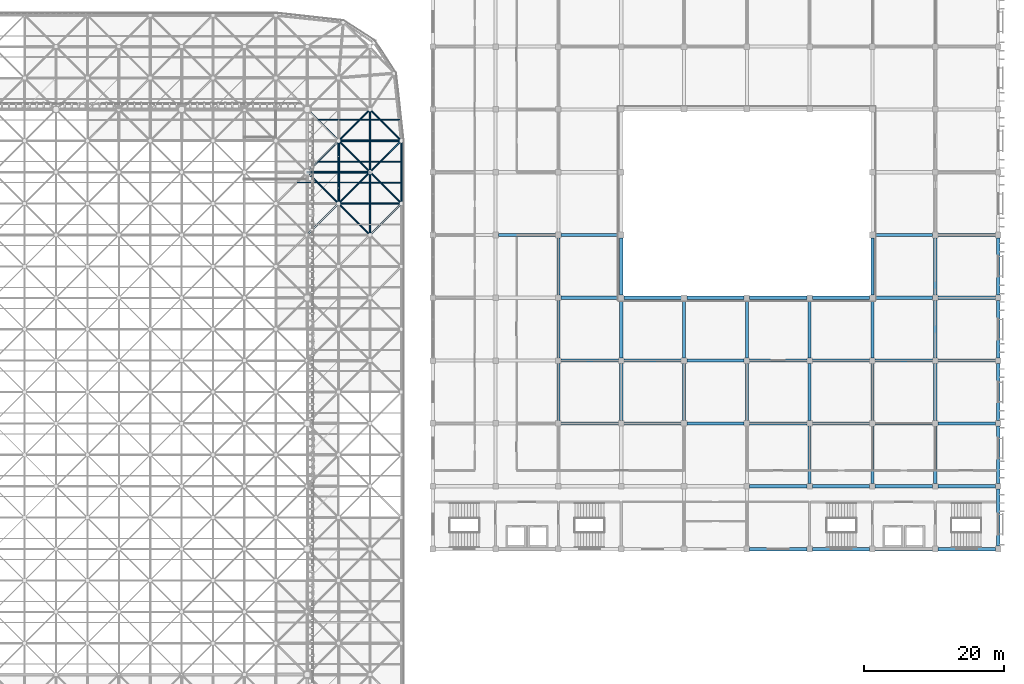
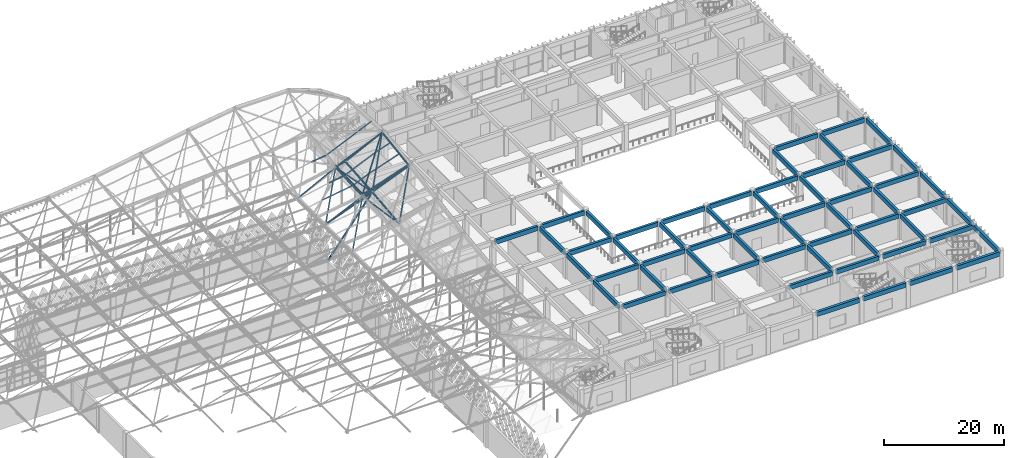
# One storey, part 205 of 437: 59 beams, 32 members.
"""IFC4 building model written with IfcOpenShell, lengths in metres."""

from ifc_helpers import new_model, si_unit, direction, frame, origin, origin_2d, place, context, subcontext, project, spatial, polyline, rectangle, hollow_circle, outline, extrude, material, material_profile, profile_set, type_object, element, save


model = new_model("IFC4")

# Units and contexts
model_context = context("Model", 3, precision=1e-05, world=origin(), true_north=direction((0.0, 1.0)))
body_context = subcontext(model_context, "Body", "Model", "MODEL_VIEW")
ifc_project = project(units=[si_unit("LENGTHUNIT", "METRE"), si_unit("AREAUNIT", "SQUARE_METRE"), si_unit("VOLUMEUNIT", "CUBIC_METRE"), si_unit("PLANEANGLEUNIT", "RADIAN"), si_unit("MASSUNIT", "GRAM", prefix="KILO")], contexts=[model_context])

# Site, building, storey
site_placement = place(None, origin())
site = spatial("IfcSite", under=ifc_project, at=site_placement, CompositionType="ELEMENT")
building_placement = place(site_placement, origin())
building = spatial("IfcBuilding", under=site, at=building_placement, Name="Opaline Strait Convention Centre", CompositionType="ELEMENT")
storey_placement = place(building_placement, frame((0.0, 0.0, 11.5)))
storey = spatial("IfcBuildingStorey", under=building, at=storey_placement, Name="L02", CompositionType="ELEMENT", Elevation=11.5)

# Beams
ifc_material_1 = material(Name="Concrete C35", Category="concrete")
ifc_material_profile_1 = material_profile(ifc_material_1, rectangle(XDim=0.449951171875, YDim=0.89990234375, at=origin_2d()), Name="RC 450x900")
ifc_profile_set_1 = profile_set([ifc_material_profile_1], Name="Concrete C35")
beam_type_1 = type_object("IfcBeamType", Name="RC beam 450x900 C35", PredefinedType="BEAM", material=ifc_profile_set_1)
for number, where, z_axis, x_axis, name in (
    (1, (324.39990234375, 99.0, 4.77001953125), (1.0, 0.0, 0.0), (0.0, 1.0, 0.0), "XB1 L02 37/M-38/M"),
    (2, (333.39990234375, 99.0, 4.77001953125), (1.0, 0.0, 0.0), (0.0, 1.0, 0.0), "XB1 L02 38/M-39/M"),
    (3, (342.39990234375, 99.0, 4.77001953125), (1.0, 0.0, 0.0), (0.0, 1.0, 0.0), "XB1 L02 39/M-40/M"),
    (4, (351.39990234375, 99.0, 4.77001953125), (1.0, 0.0, 0.0), (0.0, 1.0, 0.0), "XB1 L02 40/M-41/M"),
    (5, (297.39990234375, 108.0, 4.77001953125), (1.0, 0.0, 0.0), (0.0, 1.0, 0.0), "XB1 L02 34/N-35/N"),
    (6, (306.39990234375, 108.0, 4.77001953125), (1.0, 0.0, 0.0), (0.0, 1.0, 0.0), "XB1 L02 35/N-36/N"),
    (7, (315.39990234375, 108.0, 4.77001953125), (1.0, 0.0, 0.0), (0.0, 1.0, 0.0), "XB1 L02 36/N-37/N"),
    (8, (324.39990234375, 108.0, 4.77001953125), (1.0, 0.0, 0.0), (0.0, 1.0, 0.0), "XB1 L02 37/N-38/N"),
    (9, (333.39990234375, 108.0, 4.77001953125), (1.0, 0.0, 0.0), (0.0, 1.0, 0.0), "XB1 L02 38/N-39/N"),
    (10, (342.39990234375, 108.0, 4.77001953125), (1.0, 0.0, 0.0), (0.0, 1.0, 0.0), "XB1 L02 39/N-40/N"),
    (11, (351.39990234375, 108.0, 4.77001953125), (1.0, 0.0, 0.0), (0.0, 1.0, 0.0), "XB1 L02 40/N-41/N"),
    (12, (297.39990234375, 117.0, 4.77001953125), (1.0, 0.0, 0.0), (0.0, 1.0, 0.0), "XB1 L02 34/P-35/P"),
    (13, (306.39990234375, 117.0, 4.77001953125), (1.0, 0.0, 0.0), (0.0, 1.0, 0.0), "XB1 L02 35/P-36/P"),
    (14, (315.39990234375, 117.0, 4.77001953125), (1.0, 0.0, 0.0), (0.0, 1.0, 0.0), "XB1 L02 36/P-37/P"),
    (15, (324.39990234375, 117.0, 4.77001953125), (1.0, 0.0, 0.0), (0.0, 1.0, 0.0), "XB1 L02 37/P-38/P"),
    (16, (333.39990234375, 117.0, 4.77001953125), (1.0, 0.0, 0.0), (0.0, 1.0, 0.0), "XB1 L02 38/P-39/P"),
    (17, (342.39990234375, 117.0, 4.77001953125), (1.0, 0.0, 0.0), (0.0, 1.0, 0.0), "XB1 L02 39/P-40/P"),
    (18, (351.39990234375, 117.0, 4.77001953125), (1.0, 0.0, 0.0), (0.0, 1.0, 0.0), "XB1 L02 40/P-41/P"),
    (19, (297.39990234375, 126.0, 4.77001953125), (1.0, 0.0, 0.0), (0.0, 1.0, 0.0), "XB1 L02 34/Q-35/Q"),
    (20, (306.39990234375, 126.0, 4.77001953125), (1.0, 0.0, 0.0), (0.0, 1.0, 0.0), "XB1 L02 35/Q-36/Q"),
    (21, (315.39990234375, 126.0, 4.77001953125), (1.0, 0.0, 0.0), (0.0, 1.0, 0.0), "XB1 L02 36/Q-37/Q"),
    (22, (324.39990234375, 126.0, 4.77001953125), (1.0, 0.0, 0.0), (0.0, 1.0, 0.0), "XB1 L02 37/Q-38/Q"),
    (23, (333.39990234375, 126.0, 4.77001953125), (1.0, 0.0, 0.0), (0.0, 1.0, 0.0), "XB1 L02 38/Q-39/Q"),
    (24, (342.39990234375, 126.0, 4.77001953125), (1.0, 0.0, 0.0), (0.0, 1.0, 0.0), "XB1 L02 39/Q-40/Q"),
    (25, (351.39990234375, 126.0, 4.77001953125), (1.0, 0.0, 0.0), (0.0, 1.0, 0.0), "XB1 L02 40/Q-41/Q"),
    (26, (288.39990234375, 135.0, 4.77001953125), (1.0, 0.0, 0.0), (0.0, 1.0, 0.0), "XB1 L02 33/R-34/R"),
    (27, (297.39990234375, 135.0, 4.77001953125), (1.0, 0.0, 0.0), (0.0, 1.0, 0.0), "XB1 L02 34/R-35/R"),
    (28, (342.39990234375, 135.0, 4.77001953125), (1.0, 0.0, 0.0), (0.0, 1.0, 0.0), "XB1 L02 39/R-40/R"),
    (29, (351.39990234375, 135.0, 4.77001953125), (1.0, 0.0, 0.0), (0.0, 1.0, 0.0), "XB1 L02 40/R-41/R"),
    (30, (297.0, 108.39990234375, 4.77001953125), (0.0, 1.0, 0.0), (-1.0, 0.0, 0.0), "XB1 L02 34/N-34/P"),
    (31, (297.0, 117.39990234375, 4.77001953125), (0.0, 1.0, 0.0), (-1.0, 0.0, 0.0), "XB1 L02 34/P-34/Q"),
    (32, (297.0, 126.39990234375, 4.77001953125), (0.0, 1.0, 0.0), (-1.0, 0.0, 0.0), "XB1 L02 34/Q-34/R"),
    (33, (306.0, 108.39990234375, 4.77001953125), (0.0, 1.0, 0.0), (-1.0, 0.0, 0.0), "XB1 L02 35/N-35/P"),
    (34, (306.0, 117.39990234375, 4.77001953125), (0.0, 1.0, 0.0), (-1.0, 0.0, 0.0), "XB1 L02 35/P-35/Q"),
    (35, (306.0, 126.39990234375, 4.77001953125), (0.0, 1.0, 0.0), (-1.0, 0.0, 0.0), "XB1 L02 35/Q-35/R"),
    (36, (315.0, 108.39990234375, 4.77001953125), (0.0, 1.0, 0.0), (-1.0, 0.0, 0.0), "XB1 L02 36/N-36/P"),
    (37, (315.0, 117.39990234375, 4.77001953125), (0.0, 1.0, 0.0), (-1.0, 0.0, 0.0), "XB1 L02 36/P-36/Q"),
    (38, (324.0, 108.39990234375, 4.77001953125), (0.0, 1.0, 0.0), (-1.0, 0.0, 0.0), "XB1 L02 37/N-37/P"),
    (39, (324.0, 117.39990234375, 4.77001953125), (0.0, 1.0, 0.0), (-1.0, 0.0, 0.0), "XB1 L02 37/P-37/Q"),
    (40, (333.0, 99.39990234375, 4.77001953125), (0.0, 1.0, 0.0), (-1.0, 0.0, 0.0), "XB1 L02 38/M-38/N"),
    (41, (333.0, 108.39990234375, 4.77001953125), (0.0, 1.0, 0.0), (-1.0, 0.0, 0.0), "XB1 L02 38/N-38/P"),
    (42, (333.0, 117.39990234375, 4.77001953125), (0.0, 1.0, 0.0), (-1.0, 0.0, 0.0), "XB1 L02 38/P-38/Q"),
    (43, (342.0, 99.39990234375, 4.77001953125), (0.0, 1.0, 0.0), (-1.0, 0.0, 0.0), "XB1 L02 39/M-39/N"),
    (44, (342.0, 108.39990234375, 4.77001953125), (0.0, 1.0, 0.0), (-1.0, 0.0, 0.0), "XB1 L02 39/N-39/P"),
    (45, (342.0, 117.39990234375, 4.77001953125), (0.0, 1.0, 0.0), (-1.0, 0.0, 0.0), "XB1 L02 39/P-39/Q"),
    (46, (342.0, 126.39990234375, 4.77001953125), (0.0, 1.0, 0.0), (-1.0, 0.0, 0.0), "XB1 L02 39/Q-39/R"),
    (47, (351.0, 99.39990234375, 4.77001953125), (0.0, 1.0, 0.0), (-1.0, 0.0, 0.0), "XB1 L02 40/M-40/N"),
    (48, (351.0, 108.39990234375, 4.77001953125), (0.0, 1.0, 0.0), (-1.0, 0.0, 0.0), "XB1 L02 40/N-40/P"),
    (49, (351.0, 117.39990234375, 4.77001953125), (0.0, 1.0, 0.0), (-1.0, 0.0, 0.0), "XB1 L02 40/P-40/Q"),
    (50, (351.0, 126.39990234375, 4.77001953125), (0.0, 1.0, 0.0), (-1.0, 0.0, 0.0), "XB1 L02 40/Q-40/R"),
):
    element("IfcBeam", number, at=place(storey_placement, frame(where, z_axis=z_axis, x_axis=x_axis)), inside=storey, type_object=beam_type_1, Name=name, PredefinedType="BEAM", context=body_context, shape_type="SweptSolid", body=[
        extrude(rectangle(XDim=0.449951171875, YDim=0.89990234375, at=origin_2d()), origin(), (0.0, 0.0, 1.0), 8.2001953125),
    ])
ifc_material_profile_2 = material_profile(ifc_material_1, rectangle(XDim=0.5, YDim=0.89990234375, at=origin_2d()), Name="RC 500x900")
ifc_profile_set_2 = profile_set([ifc_material_profile_2], Name="Concrete C35")
beam_type_2 = type_object("IfcBeamType", Name="RC edge beam 500x900 C35", PredefinedType="BEAM", material=ifc_profile_set_2)
for number, where, z_axis, x_axis, name in (
    (51, (324.39990234375, 90.0, 4.77001953125), (1.0, 0.0, 0.0), (0.0, 1.0, 0.0), "MRB2 L02 37/L-38/L"),
    (52, (333.39990234375, 90.0, 4.77001953125), (1.0, 0.0, 0.0), (0.0, 1.0, 0.0), "MRB2 L02 38/L-39/L"),
    (53, (342.39990234375, 90.0, 4.77001953125), (1.0, 0.0, 0.0), (0.0, 1.0, 0.0), "MRB2 L02 39/L-40/L"),
    (54, (351.39990234375, 90.0, 4.77001953125), (1.0, 0.0, 0.0), (0.0, 1.0, 0.0), "MRB2 L02 40/L-41/L"),
    (55, (360.0, 90.39990234375, 4.77001953125), (0.0, 1.0, 0.0), (-1.0, 0.0, 0.0), "MRB2 L02 41/L-41/M"),
    (56, (360.0, 99.39990234375, 4.77001953125), (0.0, 1.0, 0.0), (-1.0, 0.0, 0.0), "MRB2 L02 41/M-41/N"),
    (57, (360.0, 108.39990234375, 4.77001953125), (0.0, 1.0, 0.0), (-1.0, 0.0, 0.0), "MRB2 L02 41/N-41/P"),
    (58, (360.0, 117.39990234375, 4.77001953125), (0.0, 1.0, 0.0), (-1.0, 0.0, 0.0), "MRB2 L02 41/P-41/Q"),
    (59, (360.0, 126.39990234375, 4.77001953125), (0.0, 1.0, 0.0), (-1.0, 0.0, 0.0), "MRB2 L02 41/Q-41/R"),
):
    element("IfcBeam", number, at=place(storey_placement, frame(where, z_axis=z_axis, x_axis=x_axis)), inside=storey, type_object=beam_type_2, Name=name, PredefinedType="BEAM", context=body_context, shape_type="SweptSolid", body=[
        extrude(rectangle(XDim=0.5, YDim=0.89990234375, at=origin_2d()), origin(), (0.0, 0.0, 1.0), 8.2001953125),
    ])

# Members
ifc_material_2 = material(Name="Steel Q355B", Category="steel")
ifc_material_profile_3 = material_profile(ifc_material_2, hollow_circle(Radius=0.175537109375, WallThickness=0.01611328125, at=origin_2d()), Name="CHS 351x16")
ifc_profile_set_3 = profile_set([ifc_material_profile_3], Name="Steel Q355B")
member_type_1 = type_object("IfcMemberType", Name="Raking prop CHS 351x16", PredefinedType="BRACE", material=ifc_profile_set_3)
member_1_placement = place(storey_placement, frame((261.51611328125, 144.0, 5.0205078125), z_axis=(0.614884902871, 0.0, 0.788616862755), x_axis=(0.0, 1.0, 0.0)))
element("IfcMember", 60, at=member_1_placement, inside=storey, type_object=member_type_1, Name="Raking prop 261/144 E", PredefinedType="BRACE", context=body_context, shape_type="SweptSolid", body=[
    extrude(hollow_circle(Radius=0.175537109375, WallThickness=0.01611328125, at=origin_2d()), origin(), (0.0, 0.0, 1.0), 13.84765625),
])
ifc_material_profile_4 = material_profile(ifc_material_2, outline(polyline([(-0.03759765625, -0.125), (0.03759765625, -0.125), (0.03759765625, -0.10498046875), (0.034912109375, -0.10498046875), (0.034912109375, -0.12255859375), (-0.034912109375, -0.12255859375), (-0.034912109375, 0.12255859375), (0.034912109375, 0.12255859375), (0.034912109375, 0.10498046875), (0.03759765625, 0.10498046875), (0.03759765625, 0.125), (-0.03759765625, 0.125), (-0.03759765625, -0.125)])), Name="C 250x75x20x2.5")
ifc_profile_set_4 = profile_set([ifc_material_profile_4], Name="Steel Q355B")
member_type_2 = type_object("IfcMemberType", Name="Roof purlin C 250x75x20x2.5", PredefinedType="PURLIN", material=ifc_profile_set_4)
member_2_placement = place(storey_placement, frame((259.550048828125, 142.5, 18.87890625), z_axis=(0.988092099011, 0.0, 0.153863588517), x_axis=(-0.007452095164, 0.998826427329, 0.047856392952)))
element("IfcMember", 61, at=member_2_placement, inside=storey, type_object=member_type_2, Name="EXB-RF-P-19-11-0a", PredefinedType="PURLIN", context=body_context, shape_type="SweptSolid", body=[
    extrude(outline(polyline([(-0.03759765625, -0.125), (0.03759765625, -0.125), (0.03759765625, -0.10498046875), (0.034912109375, -0.10498046875), (0.034912109375, -0.12255859375), (-0.034912109375, -0.12255859375), (-0.034912109375, 0.12255859375), (0.034912109375, 0.12255859375), (0.034912109375, 0.10498046875), (0.03759765625, 0.10498046875), (0.03759765625, 0.125), (-0.03759765625, 0.125), (-0.03759765625, -0.125)])), origin(), (0.0, 0.0, 1.0), 6.021728515625),
])
member_3_placement = place(storey_placement, frame((262.550048828125, 145.5, 19.491455078125), z_axis=(0.988086366005, 0.0, 0.153900400631), x_axis=(-0.00745387809, 0.998826427329, 0.047856115284)))
element("IfcMember", 62, at=member_3_placement, inside=storey, type_object=member_type_2, Name="EXB-RF-P-19-11-1a", PredefinedType="PURLIN", context=body_context, shape_type="SweptSolid", body=[
    extrude(outline(polyline([(-0.03759765625, -0.125), (0.03759765625, -0.125), (0.03759765625, -0.10498046875), (0.034912109375, -0.10498046875), (0.034912109375, -0.12255859375), (-0.034912109375, -0.12255859375), (-0.034912109375, 0.12255859375), (0.034912109375, 0.12255859375), (0.034912109375, 0.10498046875), (0.03759765625, 0.10498046875), (0.03759765625, 0.125), (-0.03759765625, 0.125), (-0.03759765625, -0.125)])), origin(), (0.0, 0.0, 1.0), 2.985595703125),
])
member_4_placement = place(storey_placement, frame((265.5, 139.5, 19.666015625), z_axis=(0.66838117447, 0.66838117447, 0.326394257346), x_axis=(-0.672492106724, 0.730507071966, -0.118801448655)))
element("IfcMember", 63, at=member_4_placement, inside=storey, type_object=member_type_2, Name="EXB-RF-F-20-11", PredefinedType="PURLIN", context=body_context, shape_type="SweptSolid", body=[
    extrude(outline(polyline([(-0.03759765625, -0.125), (0.03759765625, -0.125), (0.03759765625, -0.10498046875), (0.034912109375, -0.10498046875), (0.034912109375, -0.12255859375), (-0.034912109375, -0.12255859375), (-0.034912109375, 0.12255859375), (0.034912109375, 0.12255859375), (0.034912109375, 0.10498046875), (0.03759765625, 0.10498046875), (0.03759765625, 0.125), (-0.03759765625, 0.125), (-0.03759765625, -0.125)])), origin(), (0.0, 0.0, 1.0), 13.46533203125),
])
member_5_placement = place(storey_placement, frame((265.449951171875, 139.556884765625, 19.657470703125), z_axis=(0.94707556838, 0.0, 0.321010697294), x_axis=(-0.044974525914, 0.990136950451, 0.132688022709)))
element("IfcMember", 64, at=member_5_placement, inside=storey, type_object=member_type_2, Name="EXB-RF-E-20-11a", PredefinedType="PURLIN", context=body_context, shape_type="SweptSolid", body=[
    extrude(outline(polyline([(-0.03759765625, -0.125), (0.03759765625, -0.125), (0.03759765625, -0.10498046875), (0.034912109375, -0.10498046875), (0.034912109375, -0.12255859375), (-0.034912109375, -0.12255859375), (-0.034912109375, 0.12255859375), (0.034912109375, 0.12255859375), (0.034912109375, 0.10498046875), (0.03759765625, 0.10498046875), (0.03759765625, 0.125), (-0.03759765625, 0.125), (-0.03759765625, -0.125)])), origin(), (0.0, 0.0, 1.0), 9.608642578125),
])
member_6_placement = place(storey_placement, frame((268.550048828125, 142.5, 21.147705078125), z_axis=(0.947070084803, 0.0, 0.321026874997), x_axis=(-0.047436939725, 0.989022311823, 0.139945001577)))
element("IfcMember", 65, at=member_6_placement, inside=storey, type_object=member_type_2, Name="EXB-RF-P-20-11-0a", PredefinedType="PURLIN", context=body_context, shape_type="SweptSolid", body=[
    extrude(outline(polyline([(-0.03759765625, -0.125), (0.03759765625, -0.125), (0.03759765625, -0.10498046875), (0.034912109375, -0.10498046875), (0.034912109375, -0.12255859375), (-0.034912109375, -0.12255859375), (-0.034912109375, 0.12255859375), (0.034912109375, 0.12255859375), (0.034912109375, 0.10498046875), (0.03759765625, 0.10498046875), (0.03759765625, 0.125), (-0.03759765625, 0.125), (-0.03759765625, -0.125)])), origin(), (0.0, 0.0, 1.0), 6.282470703125),
])
member_7_placement = place(storey_placement, frame((271.550048828125, 145.5, 22.61279296875), z_axis=(0.947088093086, 0.0, 0.320973743374), x_axis=(-0.047429088664, 0.989022311823, 0.139947662594)))
element("IfcMember", 66, at=member_7_placement, inside=storey, type_object=member_type_2, Name="EXB-RF-P-20-11-1a", PredefinedType="PURLIN", context=body_context, shape_type="SweptSolid", body=[
    extrude(outline(polyline([(-0.03759765625, -0.125), (0.03759765625, -0.125), (0.03759765625, -0.10498046875), (0.034912109375, -0.10498046875), (0.034912109375, -0.12255859375), (-0.034912109375, -0.12255859375), (-0.034912109375, 0.12255859375), (0.034912109375, 0.12255859375), (0.034912109375, 0.10498046875), (0.03759765625, 0.10498046875), (0.03759765625, 0.125), (-0.03759765625, 0.125), (-0.03759765625, -0.125)])), origin(), (0.0, 0.0, 1.0), 3.11474609375),
])
member_8_placement = place(storey_placement, frame((265.58837890625, 139.449951171875, 19.70654296875), z_axis=(0.0, 0.99882696864, 0.048421965239), x_axis=(-0.915532762336, 0.019477416429, -0.401771566115)))
element("IfcMember", 67, at=member_8_placement, inside=storey, type_object=member_type_2, Name="EXB-RF-E-20-11b", PredefinedType="PURLIN", context=body_context, shape_type="SweptSolid", body=[
    extrude(outline(polyline([(-0.03759765625, -0.125), (0.03759765625, -0.125), (0.03759765625, -0.10498046875), (0.034912109375, -0.10498046875), (0.034912109375, -0.12255859375), (-0.034912109375, -0.12255859375), (-0.034912109375, 0.12255859375), (0.034912109375, 0.12255859375), (0.034912109375, 0.10498046875), (0.03759765625, 0.10498046875), (0.03759765625, 0.125), (-0.03759765625, 0.125), (-0.03759765625, -0.125)])), origin(), (0.0, 0.0, 1.0), 9.11083984375),
])
member_9_placement = place(storey_placement, frame((265.622802734375, 142.5, 19.869384765625), z_axis=(0.9153499956, 0.0, 0.402659143142), x_axis=(-0.019502042572, 0.998826427329, 0.044333265211)))
element("IfcMember", 68, at=member_9_placement, inside=storey, type_object=member_type_2, Name="EXB-RF-P-20-11-0b", PredefinedType="PURLIN", context=body_context, shape_type="SweptSolid", body=[
    extrude(outline(polyline([(-0.03759765625, -0.125), (0.03759765625, -0.125), (0.03759765625, -0.10498046875), (0.034912109375, -0.10498046875), (0.034912109375, -0.12255859375), (-0.034912109375, -0.12255859375), (-0.034912109375, 0.12255859375), (0.034912109375, 0.12255859375), (0.034912109375, 0.10498046875), (0.03759765625, 0.10498046875), (0.03759765625, 0.125), (-0.03759765625, 0.125), (-0.03759765625, -0.125)])), origin(), (0.0, 0.0, 1.0), 3.088623046875),
])
member_10_placement = place(storey_placement, frame((265.622802734375, 145.5, 20.014892578125), z_axis=(0.915356308677, 0.0, 0.402644791554), x_axis=(-0.01950134748, 0.998826427329, 0.044333570973)))
element("IfcMember", 69, at=member_10_placement, inside=storey, type_object=member_type_2, Name="EXB-RF-P-20-11-1b", PredefinedType="PURLIN", context=body_context, shape_type="SweptSolid", body=[
    extrude(outline(polyline([(-0.03759765625, -0.125), (0.03759765625, -0.125), (0.03759765625, -0.10498046875), (0.034912109375, -0.10498046875), (0.034912109375, -0.12255859375), (-0.034912109375, -0.12255859375), (-0.034912109375, 0.12255859375), (0.034912109375, 0.12255859375), (0.034912109375, 0.10498046875), (0.03759765625, 0.10498046875), (0.03759765625, 0.125), (-0.03759765625, 0.125), (-0.03759765625, -0.125)])), origin(), (0.0, 0.0, 1.0), 6.365966796875),
])
member_11_placement = place(storey_placement, frame((262.550048828125, 151.5, 20.102783203125), z_axis=(0.991635585638, 0.0, 0.12906922676), x_axis=(-0.016662194131, 0.991632228384, 0.128015213616)))
element("IfcMember", 70, at=member_11_placement, inside=storey, type_object=member_type_2, Name="EXB-RF-P-19-12-0a", PredefinedType="PURLIN", context=body_context, shape_type="SweptSolid", body=[
    extrude(outline(polyline([(-0.03759765625, -0.125), (0.03759765625, -0.125), (0.03759765625, -0.10498046875), (0.034912109375, -0.10498046875), (0.034912109375, -0.12255859375), (-0.034912109375, -0.12255859375), (-0.034912109375, 0.12255859375), (0.034912109375, 0.12255859375), (0.034912109375, 0.10498046875), (0.03759765625, 0.10498046875), (0.03759765625, 0.125), (-0.03759765625, 0.125), (-0.03759765625, -0.125)])), origin(), (0.0, 0.0, 1.0), 2.899658203125),
])
member_12_placement = place(storey_placement, frame((271.550048828125, 151.5, 23.15966796875), z_axis=(0.910418545684, 0.0, 0.413688375078), x_axis=(-0.059244755496, 0.989692168796, 0.130382015517)))
element("IfcMember", 71, at=member_12_placement, inside=storey, type_object=member_type_2, Name="EXB-RF-P-20-12-0a", PredefinedType="PURLIN", context=body_context, shape_type="SweptSolid", body=[
    extrude(outline(polyline([(-0.03759765625, -0.125), (0.03759765625, -0.125), (0.03759765625, -0.10498046875), (0.034912109375, -0.10498046875), (0.034912109375, -0.12255859375), (-0.034912109375, -0.12255859375), (-0.034912109375, 0.12255859375), (0.034912109375, 0.12255859375), (0.034912109375, 0.10498046875), (0.03759765625, 0.10498046875), (0.03759765625, 0.125), (-0.03759765625, 0.125), (-0.03759765625, -0.125)])), origin(), (0.0, 0.0, 1.0), 2.889892578125),
])
member_13_placement = place(storey_placement, frame((265.62255859375, 151.5, 20.55078125), z_axis=(0.915348391742, 0.0, 0.402662789111), x_axis=(-0.051981759943, 0.991632228384, 0.118166916959)))
element("IfcMember", 72, at=member_13_placement, inside=storey, type_object=member_type_2, Name="EXB-RF-P-20-12-0b", PredefinedType="PURLIN", context=body_context, shape_type="SweptSolid", body=[
    extrude(outline(polyline([(-0.03759765625, -0.125), (0.03759765625, -0.125), (0.03759765625, -0.10498046875), (0.034912109375, -0.10498046875), (0.034912109375, -0.12255859375), (-0.034912109375, -0.12255859375), (-0.034912109375, 0.12255859375), (0.034912109375, 0.12255859375), (0.034912109375, 0.10498046875), (0.03759765625, 0.10498046875), (0.03759765625, 0.125), (-0.03759765625, 0.125), (-0.03759765625, -0.125)])), origin(), (0.0, 0.0, 1.0), 6.3662109375),
])
ifc_material_profile_5 = material_profile(ifc_material_2, hollow_circle(Radius=0.175537109375, WallThickness=0.01611328125, at=origin_2d()), Name="CHS 351x16")
ifc_profile_set_5 = profile_set([ifc_material_profile_5], Name="Steel Q355B")
member_type_3 = type_object("IfcMemberType", Name="Space frame bottom chord CHS 351x16", PredefinedType="CHORD", material=ifc_profile_set_5)
member_14_placement = place(storey_placement, frame((260.953125, 144.0, 12.482421875), z_axis=(0.935426145713, 0.0, 0.353522171746), x_axis=(0.0, 1.0, 0.0)))
element("IfcMember", 73, at=member_14_placement, inside=storey, type_object=member_type_3, Name="EXB-RF-BX-19-11", PredefinedType="CHORD", context=body_context, shape_type="SweptSolid", body=[
    extrude(hollow_circle(Radius=0.175537109375, WallThickness=0.01611328125, at=origin_2d()), origin(), (0.0, 0.0, 1.0), 9.721435546875),
])
member_15_placement = place(storey_placement, frame((270.0, 134.9501953125, 14.9052734375), z_axis=(0.0, 0.993995425291, 0.109421636348), x_axis=(-1.0, 0.0, 0.0)))
element("IfcMember", 74, at=member_15_placement, inside=storey, type_object=member_type_3, Name="EXB-RF-BY-20-10", PredefinedType="CHORD", context=body_context, shape_type="SweptSolid", body=[
    extrude(hollow_circle(Radius=0.175537109375, WallThickness=0.01611328125, at=origin_2d()), origin(), (0.0, 0.0, 1.0), 9.154541015625),
])
member_16_placement = place(storey_placement, frame((270.0, 143.9501953125, 15.897216796875), z_axis=(0.0, 0.996499137169, 0.083603047916), x_axis=(-1.0, 0.0, 0.0)))
element("IfcMember", 75, at=member_16_placement, inside=storey, type_object=member_type_3, Name="EXB-RF-BY-20-11", PredefinedType="CHORD", context=body_context, shape_type="SweptSolid", body=[
    extrude(hollow_circle(Radius=0.175537109375, WallThickness=0.01611328125, at=origin_2d()), origin(), (0.0, 0.0, 1.0), 9.131591796875),
])
ifc_material_profile_6 = material_profile(ifc_material_2, hollow_circle(Radius=0.16259765625, WallThickness=0.02001953125, at=origin_2d()), Name="CHS 325x20")
ifc_profile_set_6 = profile_set([ifc_material_profile_6], Name="Steel Q355B")
member_type_4 = type_object("IfcMemberType", Name="Space frame top chord CHS 325x20", PredefinedType="CHORD", material=ifc_profile_set_6)
member_17_placement = place(storey_placement, frame((265.45263671875, 139.5, 19.35693359375), z_axis=(0.947072036929, 0.0, 0.321021115921), x_axis=(0.0, 1.0, 0.0)))
element("IfcMember", 76, at=member_17_placement, inside=storey, type_object=member_type_4, Name="EXB-RF-TX-20-11", PredefinedType="CHORD", context=body_context, shape_type="SweptSolid", body=[
    extrude(hollow_circle(Radius=0.16259765625, WallThickness=0.02001953125, at=origin_2d()), origin(), (0.0, 0.0, 1.0), 9.60302734375),
])
member_18_placement = place(storey_placement, frame((265.454345703125, 148.5, 19.789306640625), z_axis=(0.915357797375, 0.0, 0.402641407192), x_axis=(0.0, 1.0, 0.0)))
element("IfcMember", 77, at=member_18_placement, inside=storey, type_object=member_type_4, Name="EXB-RF-TX-20-12", PredefinedType="CHORD", context=body_context, shape_type="SweptSolid", body=[
    extrude(hollow_circle(Radius=0.16259765625, WallThickness=0.02001953125, at=origin_2d()), origin(), (0.0, 0.0, 1.0), 9.931884765625),
])
member_19_placement = place(storey_placement, frame((265.5, 139.449951171875, 19.37060546875), z_axis=(0.0, 0.99882696864, 0.048421965239), x_axis=(-1.0, 0.0, 0.0)))
element("IfcMember", 78, at=member_19_placement, inside=storey, type_object=member_type_4, Name="EXB-RF-TY-20-11", PredefinedType="CHORD", context=body_context, shape_type="SweptSolid", body=[
    extrude(hollow_circle(Radius=0.16259765625, WallThickness=0.02001953125, at=origin_2d()), origin(), (0.0, 0.0, 1.0), 9.11083984375),
])
member_20_placement = place(storey_placement, frame((274.5, 139.450439453125, 22.416259765625), z_axis=(0.0, 0.989023771129, 0.147756489339), x_axis=(-1.0, 0.0, 0.0)))
element("IfcMember", 79, at=member_20_placement, inside=storey, type_object=member_type_4, Name="EXB-RF-TY-21-11", PredefinedType="CHORD", context=body_context, shape_type="SweptSolid", body=[
    extrude(hollow_circle(Radius=0.16259765625, WallThickness=0.02001953125, at=origin_2d()), origin(), (0.0, 0.0, 1.0), 9.2001953125),
])
ifc_material_profile_7 = material_profile(ifc_material_2, hollow_circle(Radius=0.12255859375, WallThickness=0.011962890625, at=origin_2d()), Name="CHS 245x12")
ifc_profile_set_7 = profile_set([ifc_material_profile_7], Name="Steel Q355B")
member_type_5 = type_object("IfcMemberType", Name="Space frame web CHS 245x12", PredefinedType="BRACE", material=ifc_profile_set_7)
for number, where, z_axis, x_axis, name in (
    (80, (265.52392578125, 139.52392578125, 19.40966796875), (-0.480409370333, -0.480409370333, -0.733766770706), (0.707106781187, -0.707106781187, 0.0), "EXB-RF-W-19-10-11"),
    (81, (265.52392578125, 139.47607421875, 19.40966796875), (-0.480409370333, 0.480409370333, -0.733766770706), (-0.707106781187, -0.707106781187, 0.0), "EXB-RF-W-19-11-10"),
):
    element("IfcMember", number, at=place(storey_placement, frame(where, z_axis=z_axis, x_axis=x_axis)), inside=storey, type_object=member_type_5, Name=name, PredefinedType="BRACE", context=body_context, shape_type="SweptSolid", body=[
        extrude(hollow_circle(Radius=0.12255859375, WallThickness=0.011962890625, at=origin_2d()), origin(), (0.0, 0.0, 1.0), 9.466552734375),
    ])
for number, where, z_axis, x_axis, name in (
    (82, (265.523193359375, 148.523193359375, 19.84716796875), (-0.464318393321, -0.464318393321, -0.754199482396), (0.707106781187, -0.707106781187, 0.0), "EXB-RF-W-19-11-11"),
    (83, (265.523193359375, 148.476806640625, 19.84716796875), (-0.464318393321, 0.464318393321, -0.754199482396), (-0.707106781187, -0.707106781187, 0.0), "EXB-RF-W-19-12-10"),
):
    element("IfcMember", number, at=place(storey_placement, frame(where, z_axis=z_axis, x_axis=x_axis)), inside=storey, type_object=member_type_5, Name=name, PredefinedType="BRACE", context=body_context, shape_type="SweptSolid", body=[
        extrude(hollow_circle(Radius=0.12255859375, WallThickness=0.011962890625, at=origin_2d()), origin(), (0.0, 0.0, 1.0), 9.79150390625),
    ])
member_21_placement = place(storey_placement, frame((265.470947265625, 139.529052734375, 19.401611328125), z_axis=(0.578978904854, -0.578978904854, -0.574079136939), x_axis=(0.707106781187, 0.707106781187, 0.0)))
element("IfcMember", 84, at=member_21_placement, inside=storey, type_object=member_type_5, Name="EXB-RF-W-20-10-01", PredefinedType="BRACE", context=body_context, shape_type="SweptSolid", body=[
    extrude(hollow_circle(Radius=0.12255859375, WallThickness=0.011962890625, at=origin_2d()), origin(), (0.0, 0.0, 1.0), 7.87255859375),
])
member_22_placement = place(storey_placement, frame((274.52294921875, 139.52294921875, 22.461669921875), z_axis=(-0.457053151729, -0.457053151729, -0.763023481283), x_axis=(0.707106781187, -0.707106781187, 0.0)))
element("IfcMember", 85, at=member_22_placement, inside=storey, type_object=member_type_5, Name="EXB-RF-W-20-10-11", PredefinedType="BRACE", context=body_context, shape_type="SweptSolid", body=[
    extrude(hollow_circle(Radius=0.12255859375, WallThickness=0.011962890625, at=origin_2d()), origin(), (0.0, 0.0, 1.0), 9.946044921875),
])
member_23_placement = place(storey_placement, frame((265.468994140625, 139.468994140625, 19.39697265625), z_axis=(0.620747928785, 0.620747928785, -0.478898755291), x_axis=(-0.707106781187, 0.707106781187, 0.0)))
element("IfcMember", 86, at=member_23_placement, inside=storey, type_object=member_type_5, Name="EXB-RF-W-20-11-00", PredefinedType="BRACE", context=body_context, shape_type="SweptSolid", body=[
    extrude(hollow_circle(Radius=0.12255859375, WallThickness=0.011962890625, at=origin_2d()), origin(), (0.0, 0.0, 1.0), 7.34912109375),
])
member_24_placement = place(storey_placement, frame((265.469970703125, 148.530029296875, 19.83544921875), z_axis=(0.60256121026, -0.60256121026, -0.523297215528), x_axis=(0.707106781187, 0.707106781187, 0.0)))
element("IfcMember", 87, at=member_24_placement, inside=storey, type_object=member_type_5, Name="EXB-RF-W-20-11-01", PredefinedType="BRACE", context=body_context, shape_type="SweptSolid", body=[
    extrude(hollow_circle(Radius=0.12255859375, WallThickness=0.011962890625, at=origin_2d()), origin(), (0.0, 0.0, 1.0), 7.56787109375),
])
member_25_placement = place(storey_placement, frame((274.524658203125, 139.475341796875, 22.459228515625), z_axis=(-0.493829497226, 0.493829497226, -0.715726802167), x_axis=(-0.707106781187, -0.707106781187, 0.0)))
element("IfcMember", 88, at=member_25_placement, inside=storey, type_object=member_type_5, Name="EXB-RF-W-20-11-10", PredefinedType="BRACE", context=body_context, shape_type="SweptSolid", body=[
    extrude(hollow_circle(Radius=0.12255859375, WallThickness=0.011962890625, at=origin_2d()), origin(), (0.0, 0.0, 1.0), 9.21240234375),
])
member_26_placement = place(storey_placement, frame((274.522216796875, 148.522216796875, 23.80712890625), z_axis=(-0.444721060586, -0.444721060586, -0.777461482353), x_axis=(0.707106781187, -0.707106781187, 0.0)))
element("IfcMember", 89, at=member_26_placement, inside=storey, type_object=member_type_5, Name="EXB-RF-W-20-11-11", PredefinedType="BRACE", context=body_context, shape_type="SweptSolid", body=[
    extrude(hollow_circle(Radius=0.12255859375, WallThickness=0.011962890625, at=origin_2d()), origin(), (0.0, 0.0, 1.0), 10.218505859375),
])
member_27_placement = place(storey_placement, frame((265.46826171875, 148.46826171875, 19.83154296875), z_axis=(0.63361366965, 0.63361366965, -0.443922780747), x_axis=(-0.707106781187, 0.707106781187, 0.0)))
element("IfcMember", 90, at=member_27_placement, inside=storey, type_object=member_type_5, Name="EXB-RF-W-20-12-00", PredefinedType="BRACE", context=body_context, shape_type="SweptSolid", body=[
    extrude(hollow_circle(Radius=0.12255859375, WallThickness=0.011962890625, at=origin_2d()), origin(), (0.0, 0.0, 1.0), 7.202392578125),
])
member_28_placement = place(storey_placement, frame((274.523681640625, 148.476318359375, 23.805419921875), z_axis=(-0.471540529524, 0.471540529524, -0.745183908866), x_axis=(-0.707106781187, -0.707106781187, 0.0)))
element("IfcMember", 91, at=member_28_placement, inside=storey, type_object=member_type_5, Name="EXB-RF-W-20-12-10", PredefinedType="BRACE", context=body_context, shape_type="SweptSolid", body=[
    extrude(hollow_circle(Radius=0.12255859375, WallThickness=0.011962890625, at=origin_2d()), origin(), (0.0, 0.0, 1.0), 9.6435546875),
])

save(model, "model.ifc")
